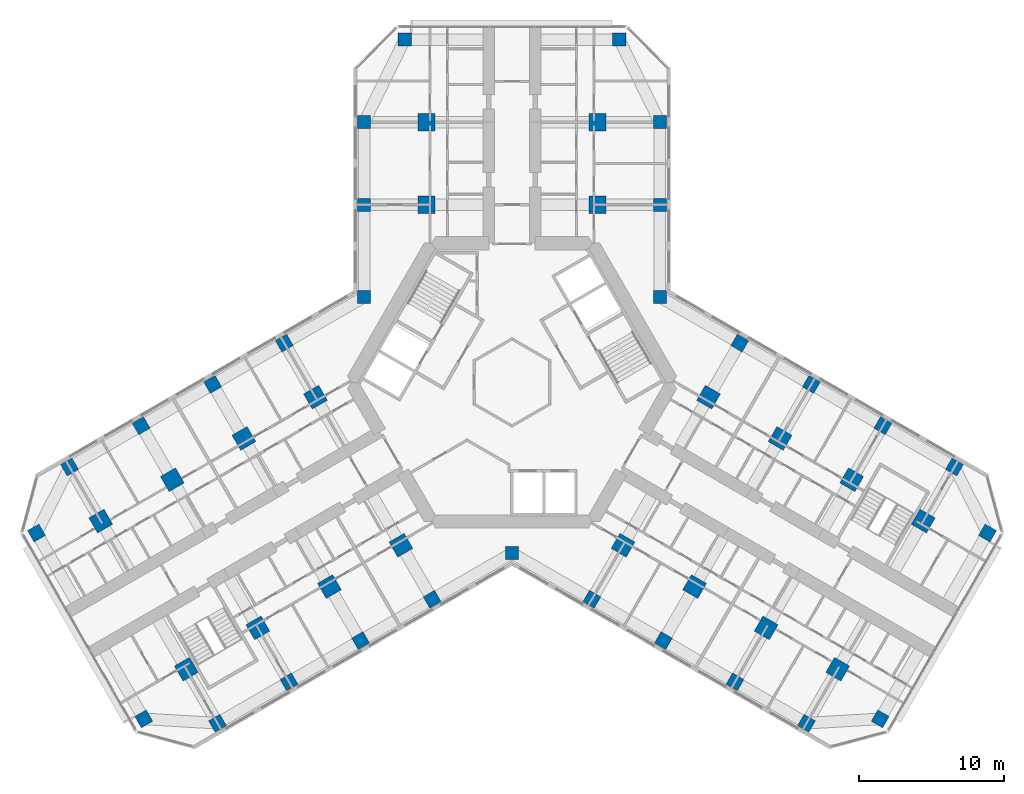
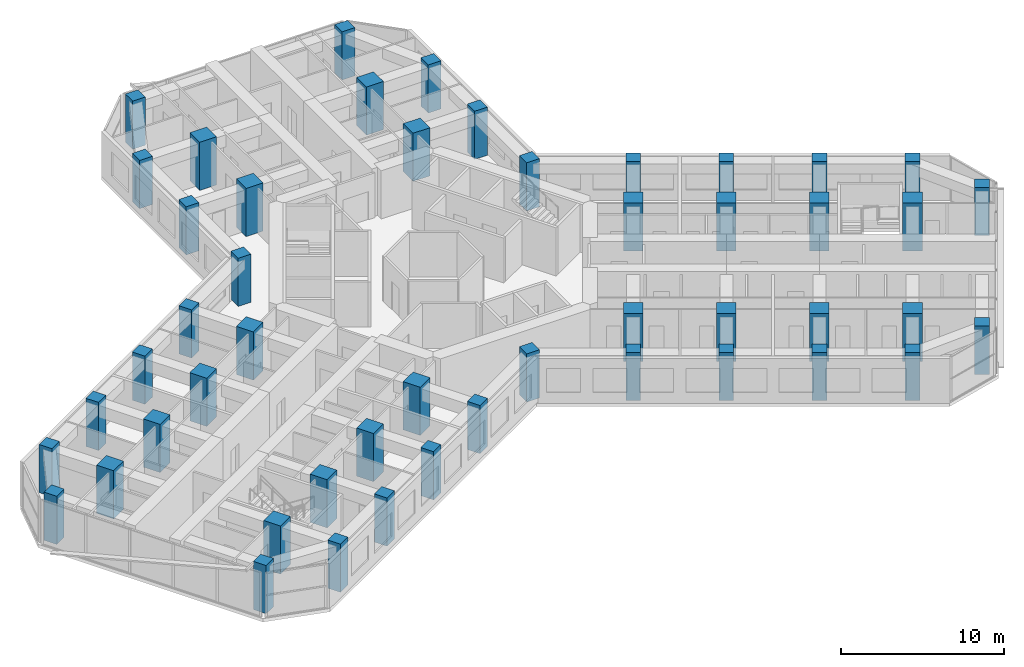
# One storey, part 1 of 20: 49 columns.
"""IFC4 building model written with IfcOpenShell, lengths in metres."""

from ifc_helpers import new_model, si_unit, direction, frame, origin, origin_2d, place, context, subcontext, project, spatial, rectangle, extrude, material, material_profile, profile_set, type_object, element, save


model = new_model("IFC4")

# Units and contexts
model_context = context("Model", 3, precision=1e-05, world=origin(), true_north=direction((0.0, 1.0)))
body_context = subcontext(model_context, "Body", "Model", "MODEL_VIEW")
ifc_project = project(units=[si_unit("LENGTHUNIT", "METRE"), si_unit("AREAUNIT", "SQUARE_METRE"), si_unit("VOLUMEUNIT", "CUBIC_METRE"), si_unit("PLANEANGLEUNIT", "RADIAN"), si_unit("MASSUNIT", "GRAM", prefix="KILO")], contexts=[model_context])

# Site, building, storey
site_placement = place(None, origin())
site = spatial("IfcSite", under=ifc_project, at=site_placement, CompositionType="ELEMENT")
building_placement = place(site_placement, origin())
building = spatial("IfcBuilding", under=site, at=building_placement, Name="Kosmar Iwan School Tower", CompositionType="ELEMENT")
storey_placement = place(building_placement, frame((0.0, 0.0, 176.0)))
storey = spatial("IfcBuildingStorey", under=building, at=storey_placement, Name="L44", CompositionType="ELEMENT", Elevation=176.0)

# Columns
ifc_material_1 = material(Name="Concrete C50/60", Category="concrete")
ifc_material_profile_1 = material_profile(ifc_material_1, rectangle(XDim=0.89990234375, YDim=0.89990234375, at=origin_2d()), Name="RC 900x900 + HD 400x347")
ifc_profile_set_1 = profile_set([ifc_material_profile_1], Name="Concrete C50/60")
column_type_1 = type_object("IfcColumnType", Name="Composite column 900x900 HD 400x347", PredefinedType="COLUMN", material=ifc_profile_set_1)
for number, where, z_axis, x_axis, name in (
    (1, (-10.199951171875, 12.25, 0.0), (0.0, 0.0, 1.0), (0.0, 1.0, 0.0), "Column AL1 L44"),
    (2, (-10.199951171875, 17.949951171875, 0.0), (0.0, 0.0, 1.0), (0.0, 1.0, 0.0), "Column AL2 L44"),
    (3, (-7.39990234375, 23.64990234375, 0.0), (0.0, 0.0, 1.0), (0.0, 1.0, 0.0), "Column ALTIP L44"),
    (4, (10.199951171875, 12.25, 0.0), (0.0, 0.0, 1.0), (0.0, 1.0, 0.0), "Column AR1 L44"),
    (5, (10.199951171875, 17.949951171875, 0.0), (0.0, 0.0, 1.0), (0.0, 1.0, 0.0), "Column AR2 L44"),
    (6, (7.39990234375, 23.64990234375, 0.0), (0.0, 0.0, 1.0), (0.0, 1.0, 0.0), "Column ARTIP L44"),
    (7, (-5.5087890625, -14.95849609375, 0.0), (0.0, 0.0, 1.0), (-0.866025403784, -0.5, 0.0), "Column BL1 L44"),
    (8, (-10.445068359375, -17.808349609375, 0.0), (0.0, 0.0, 1.0), (-0.866025403784, -0.5, 0.0), "Column BL2 L44"),
    (9, (-15.381591796875, -20.658447265625, 0.0), (0.0, 0.0, 1.0), (-0.866025403784, -0.5, 0.0), "Column BL3 L44"),
    (10, (-20.31787109375, -23.508544921875, 0.0), (0.0, 0.0, 1.0), (-0.866025403784, -0.5, 0.0), "Column BL4 L44"),
    (11, (-25.3984375, -23.20849609375, 0.0), (0.0, 0.0, 1.0), (-0.866025403784, -0.5, 0.0), "Column BLTIP L44"),
    (12, (-15.708740234375, 2.70849609375, 0.0), (0.0, 0.0, 1.0), (-0.866025403784, -0.5, 0.0), "Column BR1 L44"),
    (13, (-20.645263671875, -0.1416015625, 0.0), (0.0, 0.0, 1.0), (-0.866025403784, -0.5, 0.0), "Column BR2 L44"),
    (14, (-25.58154296875, -2.991455078125, 0.0), (0.0, 0.0, 1.0), (-0.866025403784, -0.5, 0.0), "Column BR3 L44"),
    (15, (-30.517822265625, -5.841552734375, 0.0), (0.0, 0.0, 1.0), (-0.866025403784, -0.5, 0.0), "Column BR4 L44"),
    (16, (-32.79833984375, -10.391357421875, 0.0), (0.0, 0.0, 1.0), (-0.866025403784, -0.5, 0.0), "Column BRTIP L44"),
    (17, (15.708740234375, 2.70849609375, 0.0), (0.0, 0.0, 1.0), (0.866025403784, -0.5, 0.0), "Column CL1 L44"),
    (18, (20.645263671875, -0.1416015625, 0.0), (0.0, 0.0, 1.0), (0.866025403784, -0.5, 0.0), "Column CL2 L44"),
    (19, (25.58154296875, -2.991455078125, 0.0), (0.0, 0.0, 1.0), (0.866025403784, -0.5, 0.0), "Column CL3 L44"),
    (20, (30.517822265625, -5.841552734375, 0.0), (0.0, 0.0, 1.0), (0.866025403784, -0.5, 0.0), "Column CL4 L44"),
    (21, (32.79833984375, -10.391357421875, 0.0), (0.0, 0.0, 1.0), (0.866025403784, -0.5, 0.0), "Column CLTIP L44"),
    (22, (5.5087890625, -14.95849609375, 0.0), (0.0, 0.0, 1.0), (0.866025403784, -0.5, 0.0), "Column CR1 L44"),
    (23, (10.445068359375, -17.808349609375, 0.0), (0.0, 0.0, 1.0), (0.866025403784, -0.5, 0.0), "Column CR2 L44"),
    (24, (15.381591796875, -20.658447265625, 0.0), (0.0, 0.0, 1.0), (0.866025403784, -0.5, 0.0), "Column CR3 L44"),
    (25, (20.31787109375, -23.508544921875, 0.0), (0.0, 0.0, 1.0), (0.866025403784, -0.5, 0.0), "Column CR4 L44"),
    (26, (25.3984375, -23.20849609375, 0.0), (0.0, 0.0, 1.0), (0.866025403784, -0.5, 0.0), "Column CRTIP L44"),
    (27, (-10.199951171875, 5.888916015625, 0.0), (0.0, 0.0, 1.0), (1.0, 0.0, 0.0), "Column RAB L44"),
    (28, (10.199951171875, 5.888916015625, 0.0), (0.0, 0.0, 1.0), (1.0, 0.0, 0.0), "Column RAC L44"),
    (29, (0.0, -11.77783203125, 0.0), (0.0, 0.0, 1.0), (1.0, 0.0, 0.0), "Column RBC L44"),
):
    element("IfcColumn", number, at=place(storey_placement, frame(where, z_axis=z_axis, x_axis=x_axis)), inside=storey, type_object=column_type_1, Name=name, PredefinedType="COLUMN", context=body_context, shape_type="SweptSolid", body=[
        extrude(rectangle(XDim=0.89990234375, YDim=0.89990234375, at=origin_2d()), origin(), (0.0, 0.0, 1.0), 3.60009765625),
    ])
ifc_material_2 = material(Name="Concrete C50/60", Category="concrete")
ifc_material_profile_2 = material_profile(ifc_material_2, rectangle(XDim=1.199951171875, YDim=1.199951171875, at=origin_2d()), Name="RC 1200x1200")
ifc_profile_set_2 = profile_set([ifc_material_profile_2], Name="Concrete C50/60")
column_type_2 = type_object("IfcColumnType", Name="RC interior column 1200x1200", PredefinedType="COLUMN", material=ifc_profile_set_2)
for number, where, z_axis, x_axis, name in (
    (30, (-5.89990234375, 12.25, 0.0), (0.0, 0.0, 1.0), (0.0, 1.0, 0.0), "Interior column ALI1 L44"),
    (31, (-5.89990234375, 17.949951171875, 0.0), (0.0, 0.0, 1.0), (0.0, 1.0, 0.0), "Interior column ALI2 L44"),
    (32, (5.89990234375, 12.25, 0.0), (0.0, 0.0, 1.0), (0.0, 1.0, 0.0), "Interior column ARI1 L44"),
    (33, (5.89990234375, 17.949951171875, 0.0), (0.0, 0.0, 1.0), (0.0, 1.0, 0.0), "Interior column ARI2 L44"),
    (34, (-7.65869140625, -11.234619140625, 0.0), (0.0, 0.0, 1.0), (-0.866025403784, -0.5, 0.0), "Interior column BLI1 L44"),
    (35, (-12.59521484375, -14.08447265625, 0.0), (0.0, 0.0, 1.0), (-0.866025403784, -0.5, 0.0), "Interior column BLI2 L44"),
    (36, (-17.531494140625, -16.9345703125, 0.0), (0.0, 0.0, 1.0), (-0.866025403784, -0.5, 0.0), "Interior column BLI3 L44"),
    (37, (-22.4677734375, -19.78466796875, 0.0), (0.0, 0.0, 1.0), (-0.866025403784, -0.5, 0.0), "Interior column BLI4 L44"),
    (38, (-13.558837890625, -1.015380859375, 0.0), (0.0, 0.0, 1.0), (-0.866025403784, -0.5, 0.0), "Interior column BRI1 L44"),
    (39, (-18.4951171875, -3.865478515625, 0.0), (0.0, 0.0, 1.0), (-0.866025403784, -0.5, 0.0), "Interior column BRI2 L44"),
    (40, (-23.431396484375, -6.71533203125, 0.0), (0.0, 0.0, 1.0), (-0.866025403784, -0.5, 0.0), "Interior column BRI3 L44"),
    (41, (-28.367919921875, -9.5654296875, 0.0), (0.0, 0.0, 1.0), (-0.866025403784, -0.5, 0.0), "Interior column BRI4 L44"),
    (42, (13.558837890625, -1.015380859375, 0.0), (0.0, 0.0, 1.0), (0.866025403784, -0.5, 0.0), "Interior column CLI1 L44"),
    (43, (18.4951171875, -3.865478515625, 0.0), (0.0, 0.0, 1.0), (0.866025403784, -0.5, 0.0), "Interior column CLI2 L44"),
    (44, (23.431396484375, -6.71533203125, 0.0), (0.0, 0.0, 1.0), (0.866025403784, -0.5, 0.0), "Interior column CLI3 L44"),
    (45, (28.367919921875, -9.5654296875, 0.0), (0.0, 0.0, 1.0), (0.866025403784, -0.5, 0.0), "Interior column CLI4 L44"),
    (46, (7.65869140625, -11.234619140625, 0.0), (0.0, 0.0, 1.0), (0.866025403784, -0.5, 0.0), "Interior column CRI1 L44"),
    (47, (12.59521484375, -14.08447265625, 0.0), (0.0, 0.0, 1.0), (0.866025403784, -0.5, 0.0), "Interior column CRI2 L44"),
    (48, (17.531494140625, -16.9345703125, 0.0), (0.0, 0.0, 1.0), (0.866025403784, -0.5, 0.0), "Interior column CRI3 L44"),
    (49, (22.4677734375, -19.78466796875, 0.0), (0.0, 0.0, 1.0), (0.866025403784, -0.5, 0.0), "Interior column CRI4 L44"),
):
    element("IfcColumn", number, at=place(storey_placement, frame(where, z_axis=z_axis, x_axis=x_axis)), inside=storey, type_object=column_type_2, Name=name, PredefinedType="COLUMN", context=body_context, shape_type="SweptSolid", body=[
        extrude(rectangle(XDim=1.199951171875, YDim=1.199951171875, at=origin_2d()), origin(), (0.0, 0.0, 1.0), 3.60009765625),
    ])

save(model, "model.ifc")
